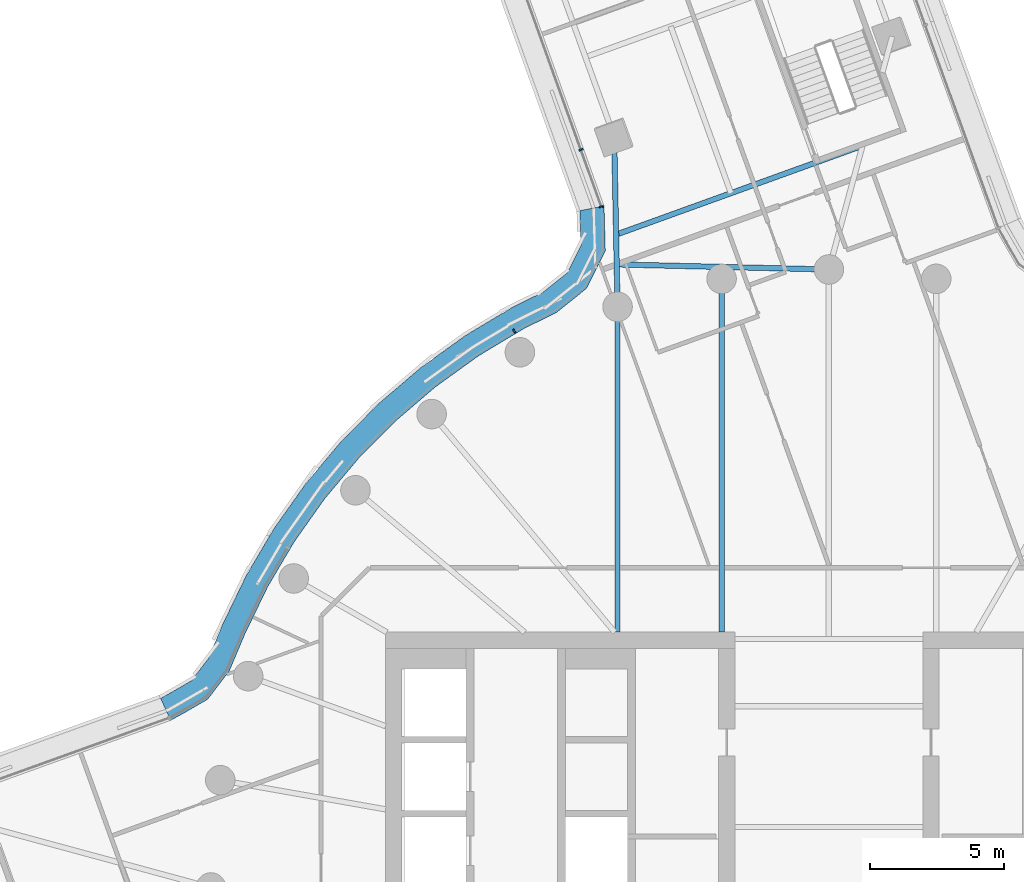
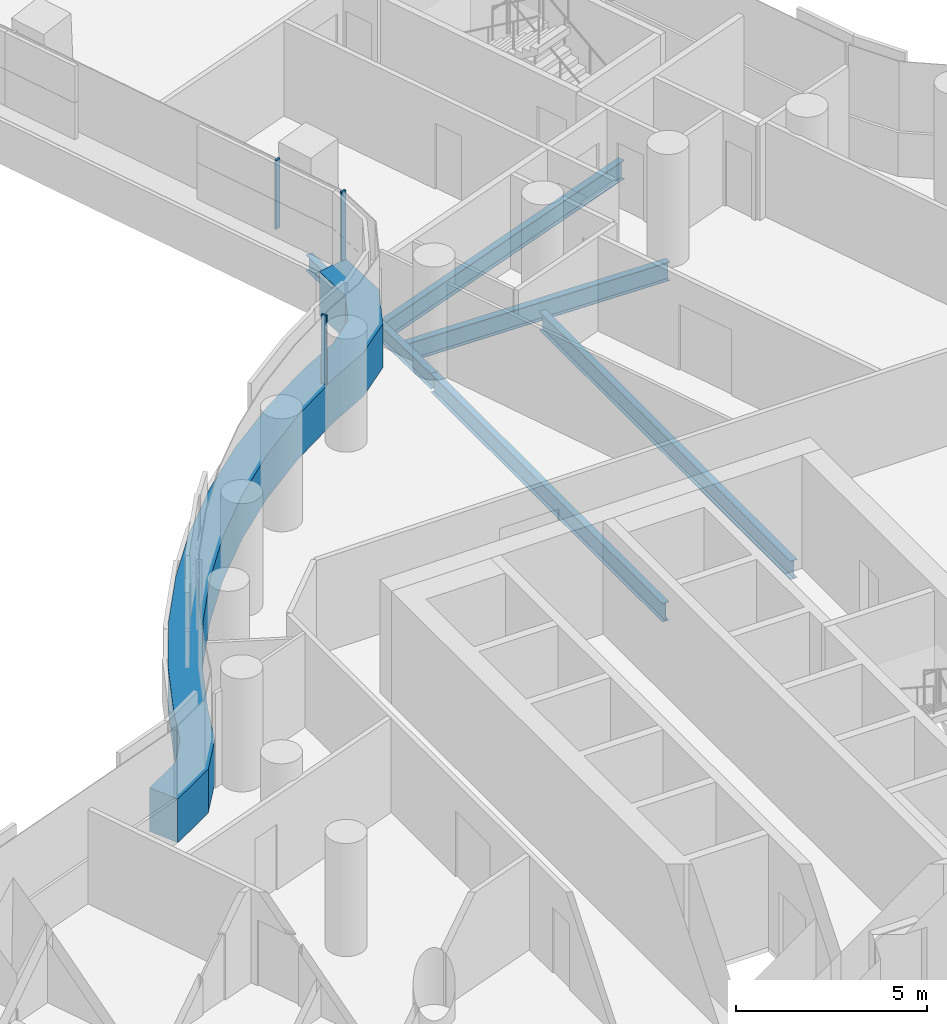
# One storey, part 13 of 30: 5 beams, 4 members, 2 elements without a shape of their own.
"""IFC4 building model written with IfcOpenShell, lengths in metres."""

from ifc_helpers import new_model, si_unit, direction, frame, origin, origin_2d, place, context, subcontext, project, spatial, polyline, rectangle, i_section, outline, extrude, material, layer, layer_set, material_profile, profile_set, type_object, element, aggregate, save


model = new_model("IFC4")

# Units and contexts
model_context = context("Model", 3, precision=1e-05, world=origin(), true_north=direction((0.0, 1.0)))
body_context = subcontext(model_context, "Body", "Model", "MODEL_VIEW")
ifc_project = project(units=[si_unit("LENGTHUNIT", "METRE"), si_unit("AREAUNIT", "SQUARE_METRE"), si_unit("VOLUMEUNIT", "CUBIC_METRE"), si_unit("PLANEANGLEUNIT", "RADIAN"), si_unit("MASSUNIT", "GRAM", prefix="KILO")], contexts=[model_context])

# Site, building, storey
site_placement = place(None, origin())
site = spatial("IfcSite", under=ifc_project, at=site_placement, CompositionType="ELEMENT")
building_placement = place(site_placement, origin())
building = spatial("IfcBuilding", under=site, at=building_placement, Name="Tamarind Cross Interchange Tower", CompositionType="ELEMENT")
storey_placement = place(building_placement, frame((0.0, 0.0, 106.0)))
storey = spatial("IfcBuildingStorey", under=building, at=storey_placement, Name="L25", CompositionType="ELEMENT", Elevation=106.0)

# Beams
ifc_material_1 = material(Name="Steel Q355B", Category="steel")
ifc_material_profile_1 = material_profile(ifc_material_1, i_section(OverallWidth=0.198974609375, OverallDepth=0.49609375, WebThickness=0.009033203125, FlangeThickness=0.013916015625, FilletRadius=0.012939453125, at=origin_2d()), Name="HN 496x199x9x14")
ifc_profile_set_1 = profile_set([ifc_material_profile_1], Name="Steel Q355B")
beam_type_1 = type_object("IfcBeamType", Name="Composite beam HN 496x199x9x14 Q355B", PredefinedType="BEAM", material=ifc_profile_set_1)
beam_1_placement = place(storey_placement, frame((-7.99169921875, 27.939208984375, -0.387939453125), z_axis=(0.019793898343, -0.999804081602, 0.0), x_axis=(0.999804081602, 0.019793898343, 0.0)))
element("IfcBeam", 1, at=beam_1_placement, inside=storey, type_object=beam_type_1, Name="Beam N-linkep", PredefinedType="BEAM", context=body_context, shape_type="SweptSolid", body=[
    extrude(i_section(OverallWidth=0.198974609375, OverallDepth=0.49609375, WebThickness=0.009033203125, FlangeThickness=0.013916015625, FilletRadius=0.012939453125, at=origin_2d()), origin(), (0.0, 0.0, 1.0), 6.327392578125),
])
ifc_material_profile_2 = material_profile(ifc_material_1, i_section(OverallWidth=0.198974609375, OverallDepth=0.595947265625, WebThickness=0.010009765625, FlangeThickness=0.014892578125, FilletRadius=0.012939453125, at=origin_2d()), Name="HN 596x199x10x15")
ifc_profile_set_2 = profile_set([ifc_material_profile_2], Name="Steel Q355B")
beam_type_2 = type_object("IfcBeamType", Name="Composite beam HN 596x199x10x15 Q355B", PredefinedType="BEAM", material=ifc_profile_set_2)
beam_2_placement = place(storey_placement, frame((-3.993896484375, 22.650634765625, -0.43798828125), z_axis=(0.0, -1.0, 0.0), x_axis=(1.0, 0.0, 0.0)))
element("IfcBeam", 2, at=beam_2_placement, inside=storey, type_object=beam_type_2, Name="Beam HH10", PredefinedType="BEAM", context=body_context, shape_type="SweptSolid", body=[
    extrude(i_section(OverallWidth=0.198974609375, OverallDepth=0.595947265625, WebThickness=0.010009765625, FlangeThickness=0.014892578125, FilletRadius=0.012939453125, at=origin_2d()), origin(), (0.0, 0.0, 1.0), 13.150634765625),
])
beam_3_placement = place(storey_placement, frame((-7.866455078125, 21.613037109375, -0.43798828125), z_axis=(0.0, -1.0, 0.0), x_axis=(1.0, 0.0, 0.0)))
element("IfcBeam", 3, at=beam_3_placement, inside=storey, type_object=beam_type_2, Name="Beam HH11", PredefinedType="BEAM", context=body_context, shape_type="SweptSolid", body=[
    extrude(i_section(OverallWidth=0.198974609375, OverallDepth=0.595947265625, WebThickness=0.010009765625, FlangeThickness=0.014892578125, FilletRadius=0.012939453125, at=origin_2d()), origin(), (0.0, 0.0, 1.0), 12.113037109375),
])
ifc_material_profile_3 = material_profile(ifc_material_1, i_section(OverallWidth=0.199951171875, OverallDepth=0.60009765625, WebThickness=0.010986328125, FlangeThickness=0.01708984375, FilletRadius=0.012939453125, at=origin_2d()), Name="HN 600x200x11x17")
ifc_profile_set_3 = profile_set([ifc_material_profile_3], Name="Steel Q355B")
beam_type_3 = type_object("IfcBeamType", Name="Composite beam HN 600x200x11x17 Q355B", PredefinedType="BEAM", material=ifc_profile_set_3)
beam_4_placement = place(storey_placement, frame((1.250732421875, 27.60791015625, -0.43994140625), z_axis=(-0.940578339703, -0.339576776122, 0.0), x_axis=(0.339576776122, -0.940578339703, 0.0)))
element("IfcBeam", 4, at=beam_4_placement, inside=storey, type_object=beam_type_3, Name="Beam N-x268", PredefinedType="BEAM", context=body_context, shape_type="SweptSolid", body=[
    extrude(i_section(OverallWidth=0.199951171875, OverallDepth=0.60009765625, WebThickness=0.010986328125, FlangeThickness=0.01708984375, FilletRadius=0.012939453125, at=origin_2d()), origin(), (0.0, 0.0, 1.0), 9.749755859375),
])
beam_5_placement = place(storey_placement, frame((0.0, 23.0, -0.43994140625), z_axis=(-0.999714621445, 0.023888818893, 0.0), x_axis=(-0.023888818893, -0.999714621445, 0.0)))
element("IfcBeam", 5, at=beam_5_placement, inside=storey, type_object=beam_type_3, Name="Beam N-x258", PredefinedType="BEAM", context=body_context, shape_type="SweptSolid", body=[
    extrude(i_section(OverallWidth=0.199951171875, OverallDepth=0.60009765625, WebThickness=0.010986328125, FlangeThickness=0.01708984375, FilletRadius=0.012939453125, at=origin_2d()), origin(), (0.0, 0.0, 1.0), 7.89990234375),
])

# Curtain wall, member
ifc_material_2 = material(Name="Aluminium 6063-T6", Category="aluminium")
ifc_layer = layer(ifc_material_2, 0.159912109375)
ifc_layer_set = layer_set([ifc_layer], Name="Aluminium 6063-T6")
curtain_wall_type = type_object("IfcCurtainWallType", Name="Office curtain wall, 9.0 m bays", PredefinedType="NOTDEFINED", material=ifc_layer_set)
curtain_wall_1_placement = place(storey_placement, origin())
curtain_wall_1 = element("IfcCurtainWall", 6, at=curtain_wall_1_placement, inside=storey, type_object=curtain_wall_type, Name="CWS-L25-14", PredefinedType="NOTDEFINED")
ifc_material_3 = material(Name="Aluminium and insulated spandrel panel", Category="aluminium")
member_type_1 = type_object("IfcMemberType", Name="Floor-edge blade transom", PredefinedType="USERDEFINED", material=ifc_material_3)
member_1_placement = place(storey_placement, origin())
member_1 = element("IfcMember", 7, at=member_1_placement, type_object=member_type_1, Name="CWT-L25-14", ObjectType="TRANSOM", PredefinedType="USERDEFINED", context=body_context, shape_type="SweptSolid", body=[
    extrude(outline(polyline([(-8.368408203125, 25.362060546875), (-8.321044921875, 23.6923828125), (-9.0234375, 22.293701171875), (-10.130859375, 21.4052734375), (-11.3671875, 20.791259765625), (-13.045654296875, 19.78125), (-14.634521484375, 18.636474609375), (-16.12353515625, 17.3642578125), (-17.50244140625, 15.973388671875), (-18.76171875, 14.4736328125), (-19.892822265625, 12.874755859375), (-20.88818359375, 11.188232421875), (-21.74267578125, 9.4208984375), (-22.31494140625, 8.06201171875), (-23.119140625, 7.00537109375), (-23.973876953125, 6.510986328125), (-24.50048828125, 6.220458984375), (-24.873046875, 7.04296875), (-24.41650390625, 7.294677734375), (-23.72607421875, 7.694091796875), (-23.10009765625, 8.516357421875), (-22.56298828125, 9.79150390625), (-21.68212890625, 11.613525390625), (-20.64892578125, 13.3642578125), (-19.474853515625, 15.023681640625), (-18.167724609375, 16.580810546875), (-16.736572265625, 18.0244140625), (-15.19091796875, 19.344970703125), (-13.54150390625, 20.533203125), (-11.800048828125, 21.5810546875), (-10.6181640625, 22.16796875), (-9.73974609375, 22.873046875), (-9.22705078125, 23.8935546875), (-9.263916015625, 25.19287109375), (-8.368408203125, 25.362060546875)])), origin(), (0.0, 0.0, 1.0), 1.39990234375),
])

curtain_wall_2_placement = place(storey_placement, origin())
curtain_wall_2 = element("IfcCurtainWall", 8, at=curtain_wall_2_placement, inside=storey, type_object=curtain_wall_type, Name="CWS-L25-13", PredefinedType="NOTDEFINED")
ifc_material_profile_4 = material_profile(ifc_material_2, rectangle(XDim=0.06005859375, YDim=0.159912109375, at=origin_2d()), Name="Mullion CW1")
ifc_profile_set_4 = profile_set([ifc_material_profile_4], Name="Aluminium 6063-T6")
member_type_2 = type_object("IfcMemberType", Name="Mullion CW1", PredefinedType="MULLION", material=ifc_profile_set_4)
member_2_placement = place(storey_placement, frame((-9.228271484375, 27.459228515625, 1.39990234375), z_axis=(0.0, 0.0, 1.0), x_axis=(0.338128919647, -0.941099800074, 0.0)))
member_2 = element("IfcMember", 9, at=member_2_placement, type_object=member_type_2, Name="CWM-L25-13-02", PredefinedType="MULLION", context=body_context, shape_type="SweptSolid", body=[
    extrude(rectangle(XDim=0.06005859375, YDim=0.159912109375, at=origin_2d()), origin(), (0.0, 0.0, 1.0), 2.210205078125),
])
aggregate(curtain_wall_2, [member_2])

# Member
member_3_placement = place(storey_placement, frame((-8.468017578125, 25.34326171875, 1.39990234375), z_axis=(0.0, 0.0, 1.0), x_axis=(0.185606998467, -0.982624059404, 0.0)))
member_3 = element("IfcMember", 10, at=member_3_placement, type_object=member_type_2, Name="CWM-L25-14-00", PredefinedType="MULLION", context=body_context, shape_type="SweptSolid", body=[
    extrude(rectangle(XDim=0.06005859375, YDim=0.159912109375, at=origin_2d()), origin(), (0.0, 0.0, 1.0), 2.210205078125),
])

member_4_placement = place(storey_placement, frame((-11.706298828125, 20.703857421875, 1.39990234375), z_axis=(0.0, 0.0, 1.0), x_axis=(-0.856843065292, -0.515577308909, 0.0)))
member_4 = element("IfcMember", 11, at=member_4_placement, type_object=member_type_2, Name="CWM-L25-14-01", PredefinedType="MULLION", context=body_context, shape_type="SweptSolid", body=[
    extrude(rectangle(XDim=0.06005859375, YDim=0.159912109375, at=origin_2d()), origin(), (0.0, 0.0, 1.0), 2.210205078125),
])

aggregate(curtain_wall_1, [member_3, member_4, member_1])

save(model, "model.ifc")
